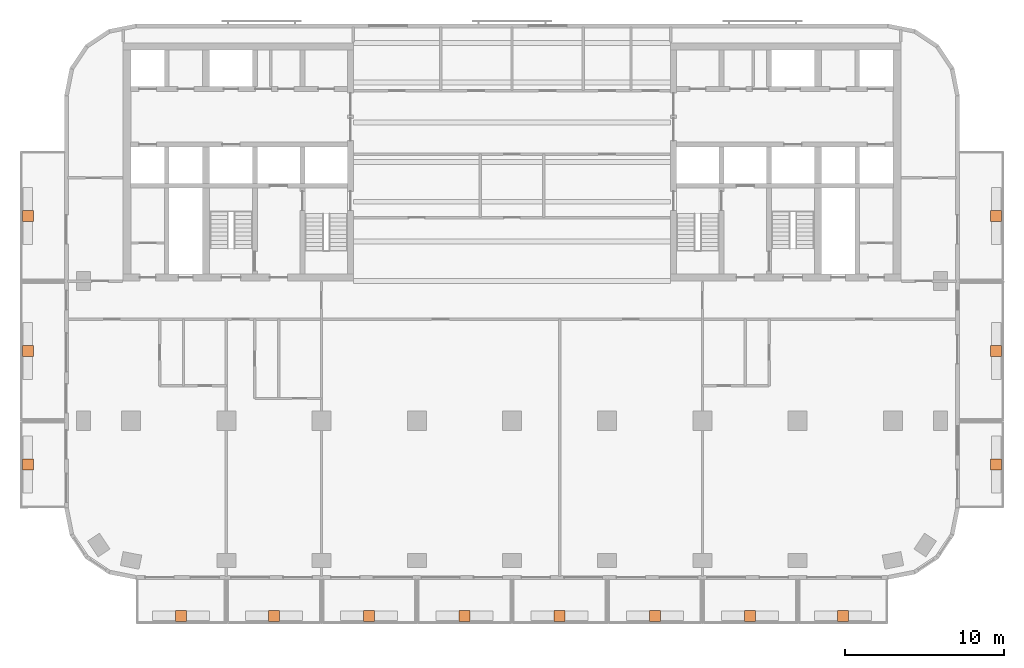
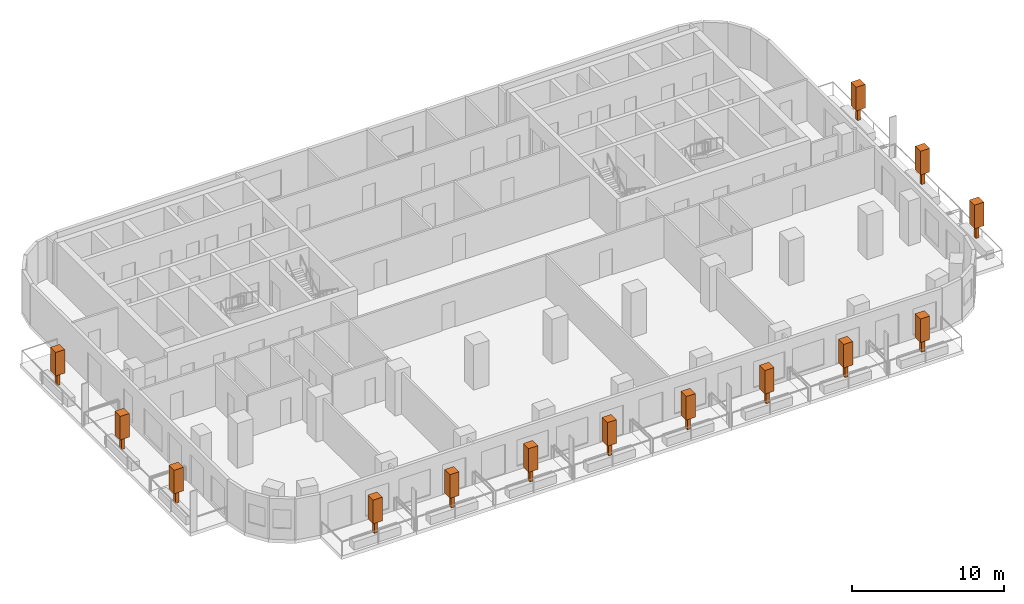
# One storey, part 11 of 11: 14 geographic elements.
"""IFC4 building model written with IfcOpenShell, lengths in metres."""

from ifc_helpers import new_model, si_unit, direction, frame, origin, origin_2d, place, context, subcontext, project, spatial, rectangle, extrude, material, element, save


model = new_model("IFC4")

# Units and contexts
model_context = context("Model", 3, precision=1e-05, world=origin(), true_north=direction((0.0, 1.0)))
body_context = subcontext(model_context, "Body", "Model", "MODEL_VIEW")
ifc_project = project(units=[si_unit("LENGTHUNIT", "METRE"), si_unit("AREAUNIT", "SQUARE_METRE"), si_unit("VOLUMEUNIT", "CUBIC_METRE"), si_unit("PLANEANGLEUNIT", "RADIAN"), si_unit("MASSUNIT", "GRAM", prefix="KILO")], contexts=[model_context])

# Site, building, storey
site_placement = place(None, origin())
site = spatial("IfcSite", under=ifc_project, at=site_placement, CompositionType="ELEMENT")
building_placement = place(site_placement, origin())
building = spatial("IfcBuilding", under=site, at=building_placement, Name="Torana Hotel and Residences", CompositionType="ELEMENT")
storey_placement = place(building_placement, frame((0.0, 0.0, 174.0)))
storey = spatial("IfcBuildingStorey", under=building, at=storey_placement, Name="L45", CompositionType="ELEMENT", Elevation=174.0)

# Geographic elements
ifc_material = material(Name="Foliage", Category="planting")
for number, where, z_axis, x_axis, name in (
    (1, (-20.85009765625, -36.10009765625, 0.64990234375), (0.0, 0.0, 1.0), (1.0, 0.0, 0.0), "Tree 01"),
    (2, (-15.0, -36.10009765625, 0.64990234375), (0.0, 0.0, 1.0), (1.0, 0.0, 0.0), "Tree 02"),
    (3, (-9.0, -36.10009765625, 0.64990234375), (0.0, 0.0, 1.0), (1.0, 0.0, 0.0), "Tree 03"),
    (4, (-3.0, -36.10009765625, 0.64990234375), (0.0, 0.0, 1.0), (1.0, 0.0, 0.0), "Tree 04"),
    (5, (3.0, -36.10009765625, 0.64990234375), (0.0, 0.0, 1.0), (1.0, 0.0, 0.0), "Tree 05"),
    (6, (9.0, -36.10009765625, 0.64990234375), (0.0, 0.0, 1.0), (1.0, 0.0, 0.0), "Tree 06"),
    (7, (15.0, -36.10009765625, 0.64990234375), (0.0, 0.0, 1.0), (1.0, 0.0, 0.0), "Tree 07"),
    (8, (20.85009765625, -36.10009765625, 0.64990234375), (0.0, 0.0, 1.0), (1.0, 0.0, 0.0), "Tree 08"),
    (9, (-30.5, -26.550048828125, 0.64990234375), (0.0, 0.0, 1.0), (1.0, 0.0, 0.0), "Tree 09"),
    (10, (-30.5, -19.39990234375, 0.64990234375), (0.0, 0.0, 1.0), (1.0, 0.0, 0.0), "Tree 10"),
    (11, (-30.5, -10.89990234375, 0.64990234375), (0.0, 0.0, 1.0), (1.0, 0.0, 0.0), "Tree 11"),
    (12, (30.5, -26.550048828125, 0.64990234375), (0.0, 0.0, 1.0), (1.0, 0.0, 0.0), "Tree 12"),
    (13, (30.5, -19.39990234375, 0.64990234375), (0.0, 0.0, 1.0), (1.0, 0.0, 0.0), "Tree 13"),
    (14, (30.5, -10.89990234375, 0.64990234375), (0.0, 0.0, 1.0), (1.0, 0.0, 0.0), "Tree 14"),
):
    element("IfcGeographicElement", number, at=place(storey_placement, frame(where, z_axis=z_axis, x_axis=x_axis)), inside=storey, material=ifc_material, Name=name, ObjectType="TREE", PredefinedType="USERDEFINED", context=body_context, shape_type="SweptSolid", body=[
        extrude(rectangle(XDim=0.25, YDim=0.25, at=origin_2d()), origin(), (0.0, 0.0, 1.0), 1.0),
        extrude(rectangle(XDim=0.699951171875, YDim=0.699951171875, at=origin_2d()), frame((0.0, 0.0, 1.000244140625)), (0.0, 0.0, 1.0), 1.89990234375),
    ])

save(model, "model.ifc")
